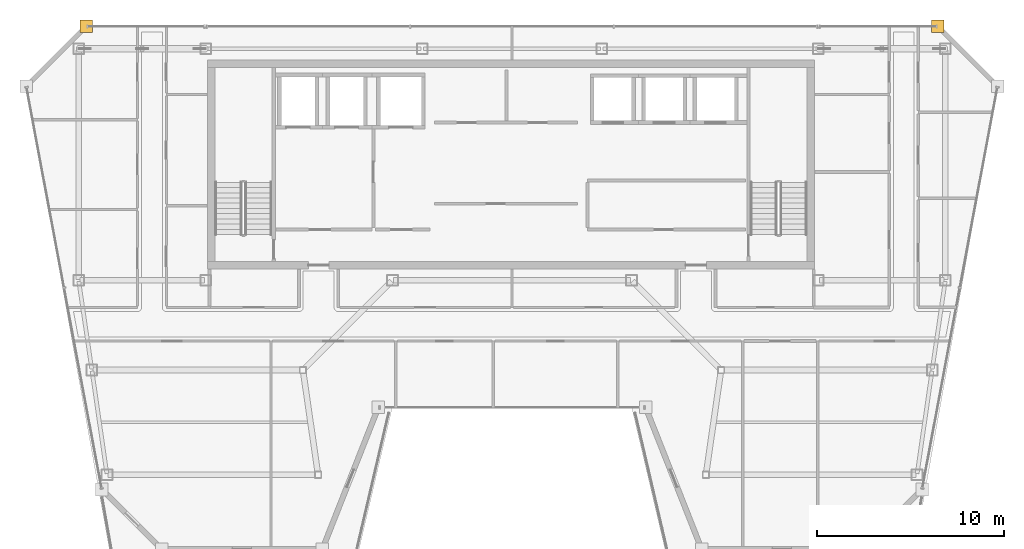
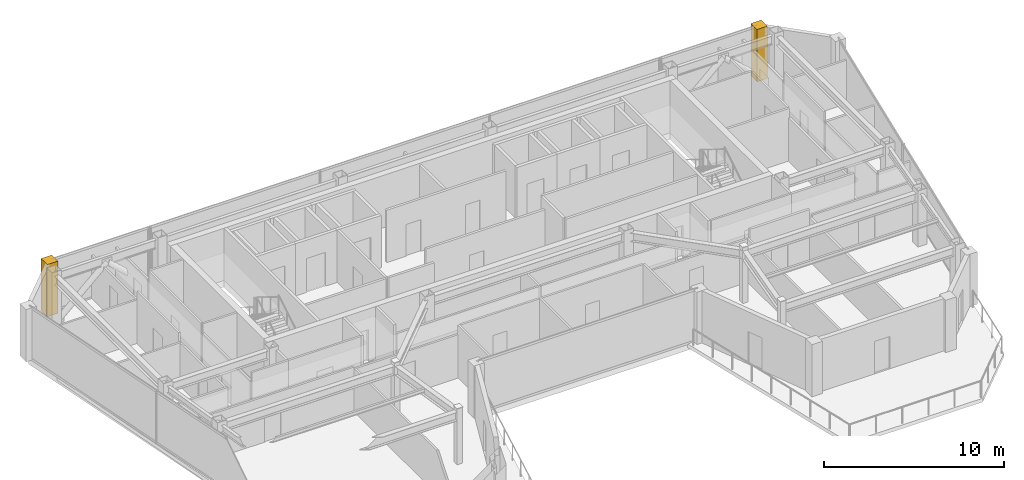
# One storey, part 25 of 25: 2 coverings.
"""IFC4 building model written with IfcOpenShell, lengths in metres."""

from ifc_helpers import new_model, si_unit, direction, frame, origin, place, context, subcontext, project, spatial, polyline, outline, extrude, material, layer, layer_set, type_object, element, save


model = new_model("IFC4")

# Units and contexts
model_context = context("Model", 3, precision=1e-05, world=origin(), true_north=direction((0.0, 1.0)))
body_context = subcontext(model_context, "Body", "Model", "MODEL_VIEW")
ifc_project = project(units=[si_unit("LENGTHUNIT", "METRE"), si_unit("AREAUNIT", "SQUARE_METRE"), si_unit("VOLUMEUNIT", "CUBIC_METRE"), si_unit("PLANEANGLEUNIT", "RADIAN"), si_unit("MASSUNIT", "GRAM", prefix="KILO")], contexts=[model_context])

# Site, building, storey
site_placement = place(None, origin())
site = spatial("IfcSite", under=ifc_project, at=site_placement, CompositionType="ELEMENT")
building_placement = place(site_placement, origin())
building = spatial("IfcBuilding", under=site, at=building_placement, Name="Saevonmaru Cultural Tower", CompositionType="ELEMENT")
storey_placement = place(building_placement, frame((0.0, 0.0, 276.199951171875)))
storey = spatial("IfcBuildingStorey", under=building, at=storey_placement, Name="L65", CompositionType="ELEMENT", Elevation=276.199951171875)

# Coverings
ifc_material = material(Name="Satin Bronze Anodised Aluminium", Category="aluminium")
ifc_layer = layer(ifc_material, 0.679931640625, Name="Satin Bronze Anodised Aluminium")
ifc_layer_set = layer_set([ifc_layer], Name="Satin Bronze Anodised Aluminium")
covering_type = type_object("IfcCoveringType", Name="CV-CORNER-CLAD", PredefinedType="CLADDING", material=ifc_layer_set)
covering_1_placement = place(storey_placement, origin())
element("IfcCovering", 1, at=covering_1_placement, inside=storey, type_object=covering_type, Name="L65 Tower Bronze Corner Cladding Pier 10", PredefinedType="CLADDING", context=body_context, shape_type="SweptSolid", body=[
    extrude(outline(polyline([(52.4599609375, 55.659912109375), (53.139892578125, 55.659912109375), (53.139892578125, 56.340087890625), (52.4599609375, 56.340087890625), (52.4599609375, 55.659912109375)])), origin(), (0.0, 0.0, 1.0), 3.550048828125),
])
covering_2_placement = place(storey_placement, origin())
element("IfcCovering", 2, at=covering_2_placement, inside=storey, type_object=covering_type, Name="L65 Tower Bronze Corner Cladding Pier 11", PredefinedType="CLADDING", context=body_context, shape_type="SweptSolid", body=[
    extrude(outline(polyline([(6.860107421875, 55.659912109375), (7.5400390625, 55.659912109375), (7.5400390625, 56.340087890625), (6.860107421875, 56.340087890625), (6.860107421875, 55.659912109375)])), origin(), (0.0, 0.0, 1.0), 3.550048828125),
])

save(model, "model.ifc")
